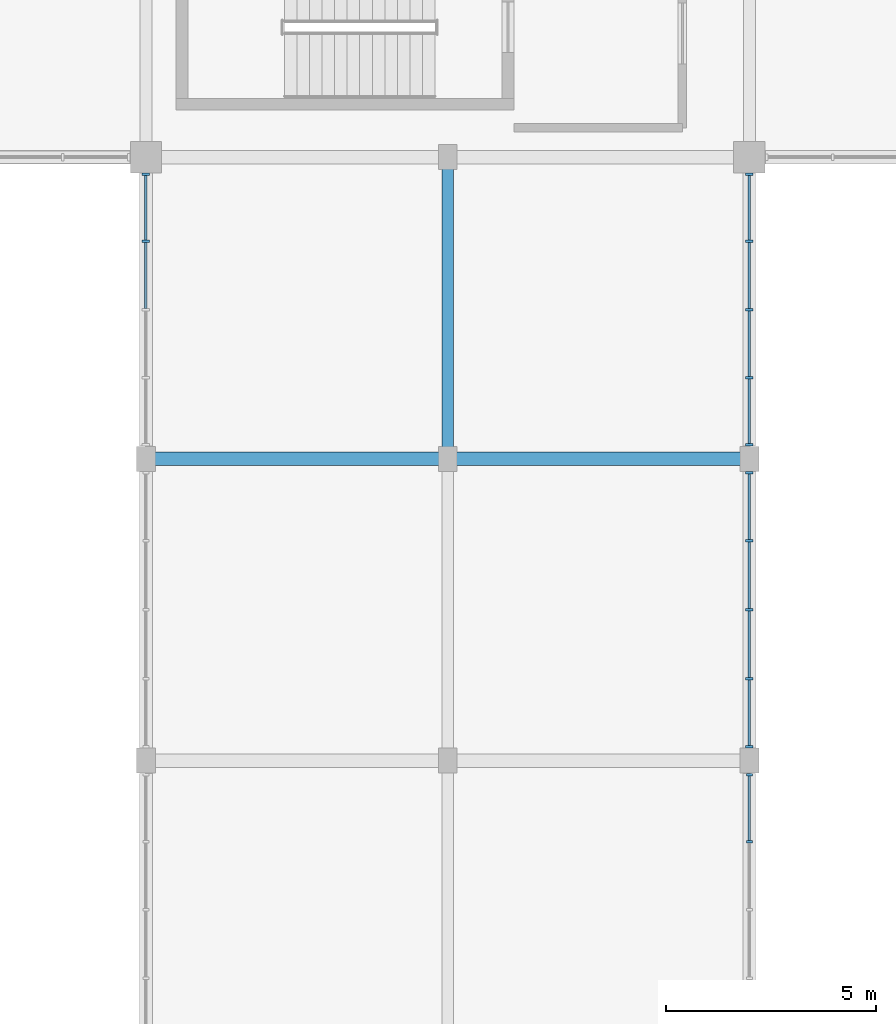
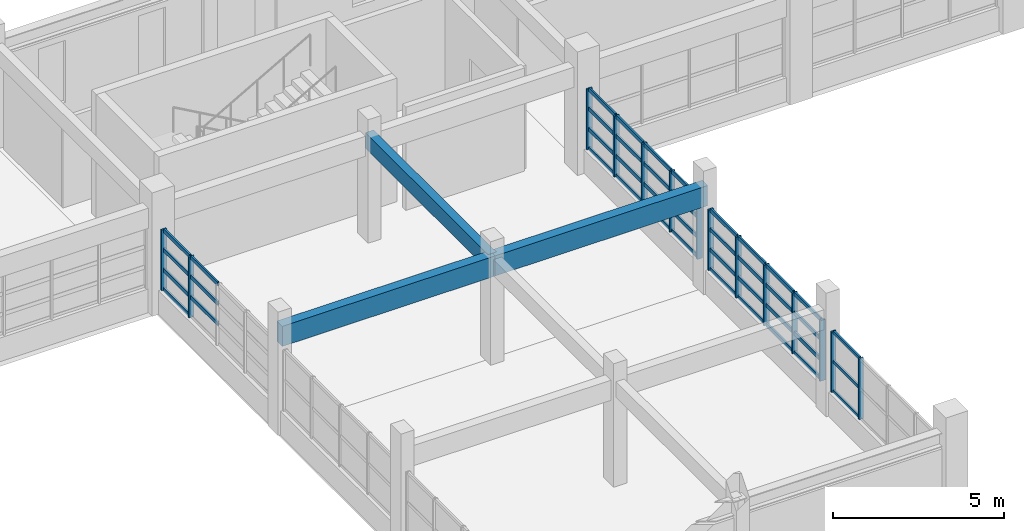
# One storey, part 20 of 69: 56 members, 3 beams, 4 elements without a shape of their own.
"""IFC4 building model written with IfcOpenShell, lengths in metres."""

import ifcopenshell
import ifcopenshell.guid

model = None  # the IFC model being written
_history = None  # IfcOwnerHistory: only IFC2X3 demands one
_inside = {}  # id of a spatial element -> (the spatial element, [elements in it])
_under = {}  # id of a project, library or spatial element -> (it, [spatial elements below it])
_declared = {}  # id of a project -> (the project, [libraries it declares])
_typed = {}  # id of a type object -> (the type object, [elements of that type])
_made_of = {}  # id of a material, layer set ... -> (it, [elements and type objects made of it])


def new_model(schema):
    """Start an empty IFC model of exactly this schema.

    Asked for "IFC4X3", IfcOpenShell would pick the latest addendum, in which some entities
    have other attributes; the version numbers below select the first issue.
    IFC2X3 requires an IfcOwnerHistory on every rooted entity: one is made here for all.
    """
    global model, _history
    if schema == "IFC4X3":
        model = ifcopenshell.file(schema_version=(4, 3, 0, 0))
    else:
        model = ifcopenshell.file(schema=schema)
    _inside.clear()
    _under.clear()
    _declared.clear()
    _typed.clear()
    _made_of.clear()
    _history = None
    if model.schema == "IFC2X3":
        org = make("IfcOrganization", Name="unknown")
        user = make(
            "IfcPersonAndOrganization",
            ThePerson=make("IfcPerson", FamilyName="unknown"),
            TheOrganization=org,
        )
        app = make(
            "IfcApplication",
            ApplicationDeveloper=org,
            Version="unknown",
            ApplicationFullName="unknown",
            ApplicationIdentifier="unknown",
        )
        _history = make(
            "IfcOwnerHistory",
            OwningUser=user,
            OwningApplication=app,
            ChangeAction="ADDED",
            CreationDate=0,
        )
    return model


def make(cls, **values):
    """One entity of the class cls with the attributes given. An attribute that is None is left unset."""
    return model.create_entity(
        cls, **{name: value for name, value in values.items() if value is not None}
    )


def rooted(cls, **values):
    """An entity with a GlobalId (a new one), such as an element, a storey or a relation."""
    return make(cls, GlobalId=ifcopenshell.guid.new(), OwnerHistory=_history, **values)


def si_unit(unit_type, name, prefix=None):
    """IfcSIUnit, for example si_unit("LENGTHUNIT", "METRE", prefix="MILLI")."""
    return make("IfcSIUnit", UnitType=unit_type, Prefix=prefix, Name=name)


def assignment(units):
    """IfcUnitAssignment: the units of a project."""
    return None if units is None else make("IfcUnitAssignment", Units=units)


def point(xyz):
    """IfcCartesianPoint."""
    return None if xyz is None else make("IfcCartesianPoint", Coordinates=xyz)


def direction(xyz):
    """IfcDirection."""
    return None if xyz is None else make("IfcDirection", DirectionRatios=xyz)


def frame(location, z_axis=None, x_axis=None):
    """IfcAxis2Placement3D, a coordinate frame: its origin and axes. An axis left out is left unset."""
    return make(
        "IfcAxis2Placement3D",
        Location=point(location),
        Axis=direction(z_axis),
        RefDirection=direction(x_axis),
    )


def frame_2d(location, x_axis=None):
    """IfcAxis2Placement2D, a coordinate frame in the plane: its origin and x axis."""
    return make(
        "IfcAxis2Placement2D", Location=point(location), RefDirection=direction(x_axis)
    )


def origin():
    """The frame at (0, 0, 0) with its axes left unset."""
    return frame((0.0, 0.0, 0.0))


def origin_2d():
    """The frame at (0, 0) in the plane with its x axis left unset."""
    return frame_2d((0.0, 0.0))


def place(relative_to, where):
    """IfcLocalPlacement: puts the frame where relative to a parent placement (None: the world)."""
    return make(
        "IfcLocalPlacement", PlacementRelTo=relative_to, RelativePlacement=where
    )


def context(
    kind, dimensions, precision=None, world=None, true_north=None, identifier=None
):
    """IfcGeometricRepresentationContext, for example the 3D "Model" context."""
    return make(
        "IfcGeometricRepresentationContext",
        ContextIdentifier=identifier,
        ContextType=kind,
        CoordinateSpaceDimension=dimensions,
        Precision=precision,
        WorldCoordinateSystem=world,
        TrueNorth=true_north,
    )


def subcontext(parent, identifier, kind, view, scale=None):
    """IfcGeometricRepresentationSubContext, for example "Body" below "Model"."""
    return make(
        "IfcGeometricRepresentationSubContext",
        ContextIdentifier=identifier,
        ContextType=kind,
        ParentContext=parent,
        TargetScale=scale,
        TargetView=view,
    )


def project(units=None, contexts=None):
    """IfcProject with its units and contexts."""
    return rooted(
        "IfcProject",
        Name="project",
        RepresentationContexts=contexts,
        UnitsInContext=assignment(units),
    )


def spatial(cls, under=None, at=None, **own):
    """A site, building, storey or space (cls), placed at a placement, below another one or the project."""
    s = rooted(cls, ObjectPlacement=at, **own)
    if under is not None:
        _under.setdefault(under.id(), (under, []))[1].append(s)
    return s


def profile(cls, at=None, kind="AREA", **sizes):
    """A parametric profile (cls). Its sizes go by their IFC names, for example OverallWidth=200.0."""
    return make(cls, ProfileType=kind, Position=at, **sizes)


def rectangle(**sizes):
    """IfcRectangleProfileDef."""
    return profile("IfcRectangleProfileDef", **sizes)


def extrude(swept, where, along, depth):
    """IfcExtrudedAreaSolid: the profile swept, set in the frame where, extruded along a direction by depth."""
    return make(
        "IfcExtrudedAreaSolid",
        SweptArea=swept,
        Position=where,
        ExtrudedDirection=direction(along),
        Depth=depth,
    )


def shape(context_of_items, identifier, shape_type, items):
    """IfcShapeRepresentation: the items that make up one representation, for example the "Body"."""
    return make(
        "IfcShapeRepresentation",
        ContextOfItems=context_of_items,
        RepresentationIdentifier=identifier,
        RepresentationType=shape_type,
        Items=items,
    )


def material(Name=None, Category=None):
    """IfcMaterial."""
    return make("IfcMaterial", Name=Name, Category=Category)


def material_profile(
    of_material, cross_section, Name=None, Category=None, Priority=None
):
    """IfcMaterialProfile: a cross section and its material."""
    return make(
        "IfcMaterialProfile",
        Name=Name,
        Material=of_material,
        Profile=cross_section,
        Priority=Priority,
        Category=Category,
    )


def profile_set(profiles, Name=None, composite=None):
    """IfcMaterialProfileSet."""
    return make(
        "IfcMaterialProfileSet",
        Name=Name,
        MaterialProfiles=profiles,
        CompositeProfile=composite,
    )


def made_of(thing, what):
    """Note that an element or type object is made of a material, layer set ...; save() writes the relation."""
    if what is not None:
        _made_of.setdefault(what.id(), (what, []))[1].append(thing)
    return thing


def type_object(cls, material=None, **own):
    """A type object (cls), such as IfcWallType, which elements share."""
    return made_of(rooted(cls, **own), material)


def element(
    cls,
    number,
    at=None,
    inside=None,
    cuts=None,
    type_object=None,
    material=None,
    context=None,
    identifier="Body",
    shape_type=None,
    held_by="IfcProductDefinitionShape",
    body=None,
    shapes=None,
    **own,
):
    """One element of the class cls, such as IfcWall. Its Tag is "e" and its number.

    at: its placement. inside: the storey or other place that contains it. cuts: it is an
    opening in that element (IfcRelVoidsElement). A single representation is given by context,
    identifier, shape_type and body (its items); several are given by shapes. held_by: the class
    of the entity that holds the representations. save() writes the other relations.
    """
    e = rooted(cls, Tag="e%d" % number, ObjectPlacement=at, **own)
    if body is not None:
        shapes = [shape(context, identifier, shape_type, body)]
    if shapes is not None:
        e.Representation = make(held_by, Representations=shapes)
    if inside is not None:
        _inside.setdefault(inside.id(), (inside, []))[1].append(e)
    if cuts is not None:
        rooted(
            "IfcRelVoidsElement", RelatingBuildingElement=cuts, RelatedOpeningElement=e
        )
    if type_object is not None:
        _typed.setdefault(type_object.id(), (type_object, []))[1].append(e)
    return made_of(e, material)


def aggregate(whole, parts):
    """IfcRelAggregates: a whole, such as a stair, and the parts it consists of."""
    return rooted("IfcRelAggregates", RelatingObject=whole, RelatedObjects=parts)


def save(model, path):
    """Write the relations noted so far, then the file.

    IfcRelAggregates (storeys below a building ...), IfcRelContainedInSpatialStructure (elements
    in a storey), IfcRelDefinesByType, IfcRelAssociatesMaterial and IfcRelDeclares: one each for
    every whole, place, type object, material and project.
    """
    for whole, parts in _under.values():
        aggregate(whole, parts)
    for where, things in _inside.values():
        rooted(
            "IfcRelContainedInSpatialStructure",
            RelatedElements=things,
            RelatingStructure=where,
        )
    for kind, things in _typed.values():
        rooted("IfcRelDefinesByType", RelatedObjects=things, RelatingType=kind)
    for what, things in _made_of.values():
        rooted("IfcRelAssociatesMaterial", RelatedObjects=things, RelatingMaterial=what)
    for by, libraries in _declared.values():
        rooted("IfcRelDeclares", RelatingContext=by, RelatedDefinitions=libraries)
    model.write(path)


model = new_model("IFC4")

# Units and contexts
model_context = context("Model", 3, precision=1e-05, world=origin(), true_north=direction((0.0, 1.0)))
body_context = subcontext(model_context, "Body", "Model", "MODEL_VIEW")
ifc_project = project(units=[si_unit("LENGTHUNIT", "METRE"), si_unit("AREAUNIT", "SQUARE_METRE"), si_unit("VOLUMEUNIT", "CUBIC_METRE"), si_unit("PLANEANGLEUNIT", "RADIAN"), si_unit("MASSUNIT", "GRAM", prefix="KILO")], contexts=[model_context])

# Site, building, storey
site_placement = place(None, origin())
site = spatial("IfcSite", under=ifc_project, at=site_placement, CompositionType="ELEMENT")
building_placement = place(site_placement, origin())
building = spatial("IfcBuilding", under=site, at=building_placement, Name="Nzembalo Square Collegiate School", CompositionType="ELEMENT")
storey_placement = place(building_placement, frame((0.0, 0.0, 5.10009765625)))
storey = spatial("IfcBuildingStorey", under=building, at=storey_placement, Name="L01", CompositionType="ELEMENT", Elevation=5.10009765625)

# Beams
ifc_material_1 = material(Name="Glulam GL32h", Category="wood")
ifc_material_profile_1 = material_profile(ifc_material_1, rectangle(XDim=0.320068359375, YDim=0.719970703125, at=origin_2d()), Name="GL32h 320x720")
ifc_profile_set_1 = profile_set([ifc_material_profile_1], Name="Glulam GL32h")
beam_type_1 = type_object("IfcBeamType", Name="B03", PredefinedType="BEAM", material=ifc_profile_set_1)
for number, where, z_axis, x_axis, name in (
    (1, (76.800048828125, 97.199951171875, 3.389892578125), (1.0, 0.0, 0.0), (0.0, 1.0, 0.0), "Beam B03 L01"),
    (2, (84.0, 97.199951171875, 3.389892578125), (1.0, 0.0, 0.0), (0.0, 1.0, 0.0), "Beam B03 L01"),
):
    element("IfcBeam", number, at=place(storey_placement, frame(where, z_axis=z_axis, x_axis=x_axis)), inside=storey, type_object=beam_type_1, Name=name, PredefinedType="BEAM", context=body_context, shape_type="SweptSolid", body=[
        extrude(rectangle(XDim=0.320068359375, YDim=0.719970703125, at=origin_2d()), origin(), (0.0, 0.0, 1.0), 7.199951171875),
    ])
ifc_material_2 = material(Name="Glulam GL28h", Category="wood")
ifc_material_profile_2 = material_profile(ifc_material_2, rectangle(XDim=0.280029296875, YDim=0.56005859375, at=origin_2d()), Name="GL28h 280x560")
ifc_profile_set_2 = profile_set([ifc_material_profile_2], Name="Glulam GL28h")
beam_type_2 = type_object("IfcBeamType", Name="B05", PredefinedType="BEAM", material=ifc_profile_set_2)
beam_placement = place(storey_placement, frame((84.0, 97.199951171875, 3.469970703125), z_axis=(0.0, 1.0, 0.0), x_axis=(-1.0, 0.0, 0.0)))
element("IfcBeam", 3, at=beam_placement, inside=storey, type_object=beam_type_2, Name="Beam B05 L01", PredefinedType="BEAM", context=body_context, shape_type="SweptSolid", body=[
    extrude(rectangle(XDim=0.280029296875, YDim=0.56005859375, at=origin_2d()), origin(), (0.0, 0.0, 1.0), 7.199951171875),
])

# Curtain wall, members
ifc_material_3 = material(Name="Aluminium 6060-T66", Category="aluminium")
curtain_wall_type_1 = type_object("IfcCurtainWallType", Name="CW-01", PredefinedType="USERDEFINED", material=ifc_material_3)
curtain_wall_1_placement = place(storey_placement, origin())
curtain_wall_1 = element("IfcCurtainWall", 4, at=curtain_wall_1_placement, inside=storey, type_object=curtain_wall_type_1, Name="Curtain wall CW-01 cw:L01:080", ObjectType="UNITISED", PredefinedType="USERDEFINED")
ifc_material_4 = material(Name="Aluminium 6060-T66", Category="aluminium")
ifc_material_profile_3 = material_profile(ifc_material_4, rectangle(XDim=0.06005859375, YDim=0.179931640625, at=origin_2d()), Name="ALU M60x180")
ifc_profile_set_3 = profile_set([ifc_material_profile_3], Name="Aluminium 6060-T66")
member_type_1 = type_object("IfcMemberType", Name="ML01", PredefinedType="MULLION", material=ifc_profile_set_3)
member_1_placement = place(storey_placement, frame((91.199951171875, 90.33203125, 0.849853515625), z_axis=(0.0, 0.0, 1.0), x_axis=(0.0, 1.0, 0.0)))
member_1 = element("IfcMember", 5, at=member_1_placement, type_object=member_type_1, Name="ML01 mullion 1", PredefinedType="MULLION", context=body_context, shape_type="SweptSolid", body=[
    extrude(rectangle(XDim=0.06005859375, YDim=0.179931640625, at=origin_2d()), origin(), (0.0, 0.0, 1.0), 2.174072265625),
])
member_2_placement = place(storey_placement, frame((91.199951171875, 91.950927734375, 0.849853515625), z_axis=(0.0, 0.0, 1.0), x_axis=(0.0, 1.0, 0.0)))
member_2 = element("IfcMember", 6, at=member_2_placement, type_object=member_type_1, Name="ML01 mullion 2", PredefinedType="MULLION", context=body_context, shape_type="SweptSolid", body=[
    extrude(rectangle(XDim=0.06005859375, YDim=0.179931640625, at=origin_2d()), origin(), (0.0, 0.0, 1.0), 2.174072265625),
])
member_3_placement = place(storey_placement, frame((91.199951171875, 93.60009765625, 0.849853515625), z_axis=(0.0, 0.0, 1.0), x_axis=(0.0, 1.0, 0.0)))
member_3 = element("IfcMember", 7, at=member_3_placement, type_object=member_type_1, Name="ML01 mullion 3", PredefinedType="MULLION", context=body_context, shape_type="SweptSolid", body=[
    extrude(rectangle(XDim=0.06005859375, YDim=0.179931640625, at=origin_2d()), origin(), (0.0, 0.0, 1.0), 2.174072265625),
])
member_4_placement = place(storey_placement, frame((91.199951171875, 95.2490234375, 0.849853515625), z_axis=(0.0, 0.0, 1.0), x_axis=(0.0, 1.0, 0.0)))
member_4 = element("IfcMember", 8, at=member_4_placement, type_object=member_type_1, Name="ML01 mullion 4", PredefinedType="MULLION", context=body_context, shape_type="SweptSolid", body=[
    extrude(rectangle(XDim=0.06005859375, YDim=0.179931640625, at=origin_2d()), origin(), (0.0, 0.0, 1.0), 2.174072265625),
])
member_5_placement = place(storey_placement, frame((91.199951171875, 96.867919921875, 0.849853515625), z_axis=(0.0, 0.0, 1.0), x_axis=(0.0, 1.0, 0.0)))
member_5 = element("IfcMember", 9, at=member_5_placement, type_object=member_type_1, Name="ML01 mullion 5", PredefinedType="MULLION", context=body_context, shape_type="SweptSolid", body=[
    extrude(rectangle(XDim=0.06005859375, YDim=0.179931640625, at=origin_2d()), origin(), (0.0, 0.0, 1.0), 2.174072265625),
])

ifc_material_5 = material(Name="Aluminium 6060-T66", Category="aluminium")
curtain_wall_type_2 = type_object("IfcCurtainWallType", Name="CW-02", PredefinedType="USERDEFINED", material=ifc_material_5)
curtain_wall_2_placement = place(storey_placement, origin())
curtain_wall_2 = element("IfcCurtainWall", 10, at=curtain_wall_2_placement, inside=storey, type_object=curtain_wall_type_2, Name="Curtain wall CW-02 cw:L01:081", ObjectType="UNITISED", PredefinedType="USERDEFINED")
member_6_placement = place(storey_placement, frame((91.199951171875, 97.531982421875, 0.849853515625), z_axis=(0.0, 0.0, 1.0), x_axis=(0.0, 1.0, 0.0)))
member_6 = element("IfcMember", 11, at=member_6_placement, type_object=member_type_1, Name="ML01 mullion 1", PredefinedType="MULLION", context=body_context, shape_type="SweptSolid", body=[
    extrude(rectangle(XDim=0.06005859375, YDim=0.179931640625, at=origin_2d()), origin(), (0.0, 0.0, 1.0), 2.174072265625),
])
member_7_placement = place(storey_placement, frame((91.199951171875, 99.13232421875, 0.849853515625), z_axis=(0.0, 0.0, 1.0), x_axis=(0.0, 1.0, 0.0)))
member_7 = element("IfcMember", 12, at=member_7_placement, type_object=member_type_1, Name="ML01 mullion 2", PredefinedType="MULLION", context=body_context, shape_type="SweptSolid", body=[
    extrude(rectangle(XDim=0.06005859375, YDim=0.179931640625, at=origin_2d()), origin(), (0.0, 0.0, 1.0), 2.174072265625),
])
member_8_placement = place(storey_placement, frame((91.199951171875, 100.762451171875, 0.849853515625), z_axis=(0.0, 0.0, 1.0), x_axis=(0.0, 1.0, 0.0)))
member_8 = element("IfcMember", 13, at=member_8_placement, type_object=member_type_1, Name="ML01 mullion 3", PredefinedType="MULLION", context=body_context, shape_type="SweptSolid", body=[
    extrude(rectangle(XDim=0.06005859375, YDim=0.179931640625, at=origin_2d()), origin(), (0.0, 0.0, 1.0), 2.174072265625),
])
member_9_placement = place(storey_placement, frame((91.199951171875, 102.392822265625, 0.849853515625), z_axis=(0.0, 0.0, 1.0), x_axis=(0.0, 1.0, 0.0)))
member_9 = element("IfcMember", 14, at=member_9_placement, type_object=member_type_1, Name="ML01 mullion 4", PredefinedType="MULLION", context=body_context, shape_type="SweptSolid", body=[
    extrude(rectangle(XDim=0.06005859375, YDim=0.179931640625, at=origin_2d()), origin(), (0.0, 0.0, 1.0), 2.174072265625),
])
member_10_placement = place(storey_placement, frame((91.199951171875, 103.992919921875, 0.849853515625), z_axis=(0.0, 0.0, 1.0), x_axis=(0.0, 1.0, 0.0)))
member_10 = element("IfcMember", 15, at=member_10_placement, type_object=member_type_1, Name="ML01 mullion 5", PredefinedType="MULLION", context=body_context, shape_type="SweptSolid", body=[
    extrude(rectangle(XDim=0.06005859375, YDim=0.179931640625, at=origin_2d()), origin(), (0.0, 0.0, 1.0), 2.174072265625),
])

ifc_material_6 = material(Name="Aluminium 6060-T66", Category="aluminium")
curtain_wall_type_3 = type_object("IfcCurtainWallType", Name="CW-05", PredefinedType="USERDEFINED", material=ifc_material_6)
curtain_wall_3_placement = place(storey_placement, origin())
curtain_wall_3 = element("IfcCurtainWall", 16, at=curtain_wall_3_placement, inside=storey, type_object=curtain_wall_type_3, Name="Curtain wall CW-05 cw:L01:084", ObjectType="LANCET", PredefinedType="USERDEFINED")
member_11_placement = place(storey_placement, frame((76.800048828125, 102.392822265625, 0.849853515625), z_axis=(0.0, 0.0, 1.0), x_axis=(0.0, 1.0, 0.0)))
member_11 = element("IfcMember", 17, at=member_11_placement, type_object=member_type_1, Name="ML01 mullion 4", PredefinedType="MULLION", context=body_context, shape_type="SweptSolid", body=[
    extrude(rectangle(XDim=0.06005859375, YDim=0.179931640625, at=origin_2d()), origin(), (0.0, 0.0, 1.0), 2.174072265625),
])
member_12_placement = place(storey_placement, frame((76.800048828125, 103.992919921875, 0.849853515625), z_axis=(0.0, 0.0, 1.0), x_axis=(0.0, 1.0, 0.0)))
member_12 = element("IfcMember", 18, at=member_12_placement, type_object=member_type_1, Name="ML01 mullion 5", PredefinedType="MULLION", context=body_context, shape_type="SweptSolid", body=[
    extrude(rectangle(XDim=0.06005859375, YDim=0.179931640625, at=origin_2d()), origin(), (0.0, 0.0, 1.0), 2.174072265625),
])

ifc_material_7 = material(Name="Aluminium 6060-T66", Category="aluminium")
curtain_wall_type_4 = type_object("IfcCurtainWallType", Name="CW-08", PredefinedType="USERDEFINED", material=ifc_material_7)
curtain_wall_4_placement = place(storey_placement, origin())
curtain_wall_4 = element("IfcCurtainWall", 19, at=curtain_wall_4_placement, inside=storey, type_object=curtain_wall_type_4, Name="Curtain wall CW-08 cw:L01:079", ObjectType="LANCET", PredefinedType="USERDEFINED")
ifc_material_8 = material(Name="Aluminium 6060-T66", Category="aluminium")
ifc_material_profile_4 = material_profile(ifc_material_8, rectangle(XDim=0.06005859375, YDim=0.14990234375, at=origin_2d()), Name="ALU M60x150")
ifc_profile_set_4 = profile_set([ifc_material_profile_4], Name="Aluminium 6060-T66")
member_type_2 = type_object("IfcMemberType", Name="ML02", PredefinedType="MULLION", material=ifc_profile_set_4)
member_13_placement = place(storey_placement, frame((91.199951171875, 88.06787109375, 0.849853515625), z_axis=(0.0, 0.0, 1.0), x_axis=(0.0, 1.0, 0.0)))
member_13 = element("IfcMember", 20, at=member_13_placement, type_object=member_type_2, Name="ML02 mullion 4", PredefinedType="MULLION", context=body_context, shape_type="SweptSolid", body=[
    extrude(rectangle(XDim=0.06005859375, YDim=0.14990234375, at=origin_2d()), origin(), (0.0, 0.0, 1.0), 2.174072265625),
])
member_14_placement = place(storey_placement, frame((91.199951171875, 89.66796875, 0.849853515625), z_axis=(0.0, 0.0, 1.0), x_axis=(0.0, 1.0, 0.0)))
member_14 = element("IfcMember", 21, at=member_14_placement, type_object=member_type_2, Name="ML02 mullion 5", PredefinedType="MULLION", context=body_context, shape_type="SweptSolid", body=[
    extrude(rectangle(XDim=0.06005859375, YDim=0.14990234375, at=origin_2d()), origin(), (0.0, 0.0, 1.0), 2.174072265625),
])

# Member
ifc_material_9 = material(Name="Aluminium 6060-T66", Category="aluminium")
ifc_material_profile_5 = material_profile(ifc_material_9, rectangle(XDim=0.06005859375, YDim=0.139892578125, at=origin_2d()), Name="ALU T60x140")
ifc_profile_set_5 = profile_set([ifc_material_profile_5], Name="Aluminium 6060-T66")
member_type_3 = type_object("IfcMemberType", Name="TR01", PredefinedType="USERDEFINED", material=ifc_profile_set_5)
member_15_placement = place(storey_placement, frame((91.199951171875, 90.362060546875, 0.8798828125), z_axis=(0.0, 1.0, 0.0), x_axis=(-1.0, 0.0, 0.0)))
member_15 = element("IfcMember", 22, at=member_15_placement, type_object=member_type_3, Name="TR01 transom 1-1", ObjectType="TRANSOM", PredefinedType="USERDEFINED", context=body_context, shape_type="SweptSolid", body=[
    extrude(rectangle(XDim=0.06005859375, YDim=0.139892578125, at=origin_2d()), origin(), (0.0, 0.0, 1.0), 1.558837890625),
])

member_16_placement = place(storey_placement, frame((91.199951171875, 91.98095703125, 0.8798828125), z_axis=(0.0, 1.0, 0.0), x_axis=(-1.0, 0.0, 0.0)))
member_16 = element("IfcMember", 23, at=member_16_placement, type_object=member_type_3, Name="TR01 transom 1-2", ObjectType="TRANSOM", PredefinedType="USERDEFINED", context=body_context, shape_type="SweptSolid", body=[
    extrude(rectangle(XDim=0.06005859375, YDim=0.139892578125, at=origin_2d()), origin(), (0.0, 0.0, 1.0), 1.589111328125),
])

member_17_placement = place(storey_placement, frame((91.199951171875, 93.6298828125, 0.8798828125), z_axis=(0.0, 1.0, 0.0), x_axis=(-1.0, 0.0, 0.0)))
member_17 = element("IfcMember", 24, at=member_17_placement, type_object=member_type_3, Name="TR01 transom 1-3", ObjectType="TRANSOM", PredefinedType="USERDEFINED", context=body_context, shape_type="SweptSolid", body=[
    extrude(rectangle(XDim=0.06005859375, YDim=0.139892578125, at=origin_2d()), origin(), (0.0, 0.0, 1.0), 1.589111328125),
])

member_18_placement = place(storey_placement, frame((91.199951171875, 95.279052734375, 0.8798828125), z_axis=(0.0, 1.0, 0.0), x_axis=(-1.0, 0.0, 0.0)))
member_18 = element("IfcMember", 25, at=member_18_placement, type_object=member_type_3, Name="TR01 transom 1-4", ObjectType="TRANSOM", PredefinedType="USERDEFINED", context=body_context, shape_type="SweptSolid", body=[
    extrude(rectangle(XDim=0.06005859375, YDim=0.139892578125, at=origin_2d()), origin(), (0.0, 0.0, 1.0), 1.558837890625),
])

member_19_placement = place(storey_placement, frame((91.199951171875, 90.362060546875, 1.574462890625), z_axis=(0.0, 1.0, 0.0), x_axis=(-1.0, 0.0, 0.0)))
member_19 = element("IfcMember", 26, at=member_19_placement, type_object=member_type_3, Name="TR01 transom 2-1", ObjectType="TRANSOM", PredefinedType="USERDEFINED", context=body_context, shape_type="SweptSolid", body=[
    extrude(rectangle(XDim=0.06005859375, YDim=0.139892578125, at=origin_2d()), origin(), (0.0, 0.0, 1.0), 1.558837890625),
])

member_20_placement = place(storey_placement, frame((91.199951171875, 91.98095703125, 1.574462890625), z_axis=(0.0, 1.0, 0.0), x_axis=(-1.0, 0.0, 0.0)))
member_20 = element("IfcMember", 27, at=member_20_placement, type_object=member_type_3, Name="TR01 transom 2-2", ObjectType="TRANSOM", PredefinedType="USERDEFINED", context=body_context, shape_type="SweptSolid", body=[
    extrude(rectangle(XDim=0.06005859375, YDim=0.139892578125, at=origin_2d()), origin(), (0.0, 0.0, 1.0), 1.589111328125),
])

member_21_placement = place(storey_placement, frame((91.199951171875, 93.6298828125, 1.574462890625), z_axis=(0.0, 1.0, 0.0), x_axis=(-1.0, 0.0, 0.0)))
member_21 = element("IfcMember", 28, at=member_21_placement, type_object=member_type_3, Name="TR01 transom 2-3", ObjectType="TRANSOM", PredefinedType="USERDEFINED", context=body_context, shape_type="SweptSolid", body=[
    extrude(rectangle(XDim=0.06005859375, YDim=0.139892578125, at=origin_2d()), origin(), (0.0, 0.0, 1.0), 1.589111328125),
])

member_22_placement = place(storey_placement, frame((91.199951171875, 95.279052734375, 1.574462890625), z_axis=(0.0, 1.0, 0.0), x_axis=(-1.0, 0.0, 0.0)))
member_22 = element("IfcMember", 29, at=member_22_placement, type_object=member_type_3, Name="TR01 transom 2-4", ObjectType="TRANSOM", PredefinedType="USERDEFINED", context=body_context, shape_type="SweptSolid", body=[
    extrude(rectangle(XDim=0.06005859375, YDim=0.139892578125, at=origin_2d()), origin(), (0.0, 0.0, 1.0), 1.558837890625),
])

member_23_placement = place(storey_placement, frame((91.199951171875, 90.362060546875, 2.29931640625), z_axis=(0.0, 1.0, 0.0), x_axis=(-1.0, 0.0, 0.0)))
member_23 = element("IfcMember", 30, at=member_23_placement, type_object=member_type_3, Name="TR01 transom 3-1", ObjectType="TRANSOM", PredefinedType="USERDEFINED", context=body_context, shape_type="SweptSolid", body=[
    extrude(rectangle(XDim=0.06005859375, YDim=0.139892578125, at=origin_2d()), origin(), (0.0, 0.0, 1.0), 1.558837890625),
])

member_24_placement = place(storey_placement, frame((91.199951171875, 91.98095703125, 2.29931640625), z_axis=(0.0, 1.0, 0.0), x_axis=(-1.0, 0.0, 0.0)))
member_24 = element("IfcMember", 31, at=member_24_placement, type_object=member_type_3, Name="TR01 transom 3-2", ObjectType="TRANSOM", PredefinedType="USERDEFINED", context=body_context, shape_type="SweptSolid", body=[
    extrude(rectangle(XDim=0.06005859375, YDim=0.139892578125, at=origin_2d()), origin(), (0.0, 0.0, 1.0), 1.589111328125),
])

member_25_placement = place(storey_placement, frame((91.199951171875, 93.6298828125, 2.29931640625), z_axis=(0.0, 1.0, 0.0), x_axis=(-1.0, 0.0, 0.0)))
member_25 = element("IfcMember", 32, at=member_25_placement, type_object=member_type_3, Name="TR01 transom 3-3", ObjectType="TRANSOM", PredefinedType="USERDEFINED", context=body_context, shape_type="SweptSolid", body=[
    extrude(rectangle(XDim=0.06005859375, YDim=0.139892578125, at=origin_2d()), origin(), (0.0, 0.0, 1.0), 1.589111328125),
])

member_26_placement = place(storey_placement, frame((91.199951171875, 95.279052734375, 2.29931640625), z_axis=(0.0, 1.0, 0.0), x_axis=(-1.0, 0.0, 0.0)))
member_26 = element("IfcMember", 33, at=member_26_placement, type_object=member_type_3, Name="TR01 transom 3-4", ObjectType="TRANSOM", PredefinedType="USERDEFINED", context=body_context, shape_type="SweptSolid", body=[
    extrude(rectangle(XDim=0.06005859375, YDim=0.139892578125, at=origin_2d()), origin(), (0.0, 0.0, 1.0), 1.558837890625),
])

member_27_placement = place(storey_placement, frame((91.199951171875, 90.362060546875, 2.993896484375), z_axis=(0.0, 1.0, 0.0), x_axis=(-1.0, 0.0, 0.0)))
member_27 = element("IfcMember", 34, at=member_27_placement, type_object=member_type_3, Name="TR01 transom 4-1", ObjectType="TRANSOM", PredefinedType="USERDEFINED", context=body_context, shape_type="SweptSolid", body=[
    extrude(rectangle(XDim=0.06005859375, YDim=0.139892578125, at=origin_2d()), origin(), (0.0, 0.0, 1.0), 1.558837890625),
])

member_28_placement = place(storey_placement, frame((91.199951171875, 91.98095703125, 2.993896484375), z_axis=(0.0, 1.0, 0.0), x_axis=(-1.0, 0.0, 0.0)))
member_28 = element("IfcMember", 35, at=member_28_placement, type_object=member_type_3, Name="TR01 transom 4-2", ObjectType="TRANSOM", PredefinedType="USERDEFINED", context=body_context, shape_type="SweptSolid", body=[
    extrude(rectangle(XDim=0.06005859375, YDim=0.139892578125, at=origin_2d()), origin(), (0.0, 0.0, 1.0), 1.589111328125),
])

member_29_placement = place(storey_placement, frame((91.199951171875, 93.6298828125, 2.993896484375), z_axis=(0.0, 1.0, 0.0), x_axis=(-1.0, 0.0, 0.0)))
member_29 = element("IfcMember", 36, at=member_29_placement, type_object=member_type_3, Name="TR01 transom 4-3", ObjectType="TRANSOM", PredefinedType="USERDEFINED", context=body_context, shape_type="SweptSolid", body=[
    extrude(rectangle(XDim=0.06005859375, YDim=0.139892578125, at=origin_2d()), origin(), (0.0, 0.0, 1.0), 1.589111328125),
])

member_30_placement = place(storey_placement, frame((91.199951171875, 95.279052734375, 2.993896484375), z_axis=(0.0, 1.0, 0.0), x_axis=(-1.0, 0.0, 0.0)))
member_30 = element("IfcMember", 37, at=member_30_placement, type_object=member_type_3, Name="TR01 transom 4-4", ObjectType="TRANSOM", PredefinedType="USERDEFINED", context=body_context, shape_type="SweptSolid", body=[
    extrude(rectangle(XDim=0.06005859375, YDim=0.139892578125, at=origin_2d()), origin(), (0.0, 0.0, 1.0), 1.558837890625),
])

aggregate(curtain_wall_1, [member_1, member_2, member_3, member_4, member_5, member_15, member_16, member_17, member_18, member_19, member_20, member_21, member_22, member_23, member_24, member_25, member_26, member_27, member_28, member_29, member_30])

member_31_placement = place(storey_placement, frame((91.199951171875, 97.56201171875, 0.8798828125), z_axis=(0.0, 1.0, 0.0), x_axis=(-1.0, 0.0, 0.0)))
member_31 = element("IfcMember", 38, at=member_31_placement, type_object=member_type_3, Name="TR01 transom 1-1", ObjectType="TRANSOM", PredefinedType="USERDEFINED", context=body_context, shape_type="SweptSolid", body=[
    extrude(rectangle(XDim=0.06005859375, YDim=0.139892578125, at=origin_2d()), origin(), (0.0, 0.0, 1.0), 1.540283203125),
])

member_32_placement = place(storey_placement, frame((91.199951171875, 99.162353515625, 0.8798828125), z_axis=(0.0, 1.0, 0.0), x_axis=(-1.0, 0.0, 0.0)))
member_32 = element("IfcMember", 39, at=member_32_placement, type_object=member_type_3, Name="TR01 transom 1-2", ObjectType="TRANSOM", PredefinedType="USERDEFINED", context=body_context, shape_type="SweptSolid", body=[
    extrude(rectangle(XDim=0.06005859375, YDim=0.139892578125, at=origin_2d()), origin(), (0.0, 0.0, 1.0), 1.570068359375),
])

member_33_placement = place(storey_placement, frame((91.199951171875, 100.79248046875, 0.8798828125), z_axis=(0.0, 1.0, 0.0), x_axis=(-1.0, 0.0, 0.0)))
member_33 = element("IfcMember", 40, at=member_33_placement, type_object=member_type_3, Name="TR01 transom 1-3", ObjectType="TRANSOM", PredefinedType="USERDEFINED", context=body_context, shape_type="SweptSolid", body=[
    extrude(rectangle(XDim=0.06005859375, YDim=0.139892578125, at=origin_2d()), origin(), (0.0, 0.0, 1.0), 1.5703125),
])

member_34_placement = place(storey_placement, frame((91.199951171875, 102.4228515625, 0.8798828125), z_axis=(0.0, 1.0, 0.0), x_axis=(-1.0, 0.0, 0.0)))
member_34 = element("IfcMember", 41, at=member_34_placement, type_object=member_type_3, Name="TR01 transom 1-4", ObjectType="TRANSOM", PredefinedType="USERDEFINED", context=body_context, shape_type="SweptSolid", body=[
    extrude(rectangle(XDim=0.06005859375, YDim=0.139892578125, at=origin_2d()), origin(), (0.0, 0.0, 1.0), 1.5400390625),
])

member_35_placement = place(storey_placement, frame((91.199951171875, 97.56201171875, 1.574462890625), z_axis=(0.0, 1.0, 0.0), x_axis=(-1.0, 0.0, 0.0)))
member_35 = element("IfcMember", 42, at=member_35_placement, type_object=member_type_3, Name="TR01 transom 2-1", ObjectType="TRANSOM", PredefinedType="USERDEFINED", context=body_context, shape_type="SweptSolid", body=[
    extrude(rectangle(XDim=0.06005859375, YDim=0.139892578125, at=origin_2d()), origin(), (0.0, 0.0, 1.0), 1.540283203125),
])

member_36_placement = place(storey_placement, frame((91.199951171875, 99.162353515625, 1.574462890625), z_axis=(0.0, 1.0, 0.0), x_axis=(-1.0, 0.0, 0.0)))
member_36 = element("IfcMember", 43, at=member_36_placement, type_object=member_type_3, Name="TR01 transom 2-2", ObjectType="TRANSOM", PredefinedType="USERDEFINED", context=body_context, shape_type="SweptSolid", body=[
    extrude(rectangle(XDim=0.06005859375, YDim=0.139892578125, at=origin_2d()), origin(), (0.0, 0.0, 1.0), 1.570068359375),
])

member_37_placement = place(storey_placement, frame((91.199951171875, 100.79248046875, 1.574462890625), z_axis=(0.0, 1.0, 0.0), x_axis=(-1.0, 0.0, 0.0)))
member_37 = element("IfcMember", 44, at=member_37_placement, type_object=member_type_3, Name="TR01 transom 2-3", ObjectType="TRANSOM", PredefinedType="USERDEFINED", context=body_context, shape_type="SweptSolid", body=[
    extrude(rectangle(XDim=0.06005859375, YDim=0.139892578125, at=origin_2d()), origin(), (0.0, 0.0, 1.0), 1.5703125),
])

member_38_placement = place(storey_placement, frame((91.199951171875, 102.4228515625, 1.574462890625), z_axis=(0.0, 1.0, 0.0), x_axis=(-1.0, 0.0, 0.0)))
member_38 = element("IfcMember", 45, at=member_38_placement, type_object=member_type_3, Name="TR01 transom 2-4", ObjectType="TRANSOM", PredefinedType="USERDEFINED", context=body_context, shape_type="SweptSolid", body=[
    extrude(rectangle(XDim=0.06005859375, YDim=0.139892578125, at=origin_2d()), origin(), (0.0, 0.0, 1.0), 1.5400390625),
])

member_39_placement = place(storey_placement, frame((91.199951171875, 97.56201171875, 2.29931640625), z_axis=(0.0, 1.0, 0.0), x_axis=(-1.0, 0.0, 0.0)))
member_39 = element("IfcMember", 46, at=member_39_placement, type_object=member_type_3, Name="TR01 transom 3-1", ObjectType="TRANSOM", PredefinedType="USERDEFINED", context=body_context, shape_type="SweptSolid", body=[
    extrude(rectangle(XDim=0.06005859375, YDim=0.139892578125, at=origin_2d()), origin(), (0.0, 0.0, 1.0), 1.540283203125),
])

member_40_placement = place(storey_placement, frame((91.199951171875, 99.162353515625, 2.29931640625), z_axis=(0.0, 1.0, 0.0), x_axis=(-1.0, 0.0, 0.0)))
member_40 = element("IfcMember", 47, at=member_40_placement, type_object=member_type_3, Name="TR01 transom 3-2", ObjectType="TRANSOM", PredefinedType="USERDEFINED", context=body_context, shape_type="SweptSolid", body=[
    extrude(rectangle(XDim=0.06005859375, YDim=0.139892578125, at=origin_2d()), origin(), (0.0, 0.0, 1.0), 1.570068359375),
])

member_41_placement = place(storey_placement, frame((91.199951171875, 100.79248046875, 2.29931640625), z_axis=(0.0, 1.0, 0.0), x_axis=(-1.0, 0.0, 0.0)))
member_41 = element("IfcMember", 48, at=member_41_placement, type_object=member_type_3, Name="TR01 transom 3-3", ObjectType="TRANSOM", PredefinedType="USERDEFINED", context=body_context, shape_type="SweptSolid", body=[
    extrude(rectangle(XDim=0.06005859375, YDim=0.139892578125, at=origin_2d()), origin(), (0.0, 0.0, 1.0), 1.5703125),
])

member_42_placement = place(storey_placement, frame((91.199951171875, 102.4228515625, 2.29931640625), z_axis=(0.0, 1.0, 0.0), x_axis=(-1.0, 0.0, 0.0)))
member_42 = element("IfcMember", 49, at=member_42_placement, type_object=member_type_3, Name="TR01 transom 3-4", ObjectType="TRANSOM", PredefinedType="USERDEFINED", context=body_context, shape_type="SweptSolid", body=[
    extrude(rectangle(XDim=0.06005859375, YDim=0.139892578125, at=origin_2d()), origin(), (0.0, 0.0, 1.0), 1.5400390625),
])

member_43_placement = place(storey_placement, frame((91.199951171875, 97.56201171875, 2.993896484375), z_axis=(0.0, 1.0, 0.0), x_axis=(-1.0, 0.0, 0.0)))
member_43 = element("IfcMember", 50, at=member_43_placement, type_object=member_type_3, Name="TR01 transom 4-1", ObjectType="TRANSOM", PredefinedType="USERDEFINED", context=body_context, shape_type="SweptSolid", body=[
    extrude(rectangle(XDim=0.06005859375, YDim=0.139892578125, at=origin_2d()), origin(), (0.0, 0.0, 1.0), 1.540283203125),
])

member_44_placement = place(storey_placement, frame((91.199951171875, 99.162353515625, 2.993896484375), z_axis=(0.0, 1.0, 0.0), x_axis=(-1.0, 0.0, 0.0)))
member_44 = element("IfcMember", 51, at=member_44_placement, type_object=member_type_3, Name="TR01 transom 4-2", ObjectType="TRANSOM", PredefinedType="USERDEFINED", context=body_context, shape_type="SweptSolid", body=[
    extrude(rectangle(XDim=0.06005859375, YDim=0.139892578125, at=origin_2d()), origin(), (0.0, 0.0, 1.0), 1.570068359375),
])

member_45_placement = place(storey_placement, frame((91.199951171875, 100.79248046875, 2.993896484375), z_axis=(0.0, 1.0, 0.0), x_axis=(-1.0, 0.0, 0.0)))
member_45 = element("IfcMember", 52, at=member_45_placement, type_object=member_type_3, Name="TR01 transom 4-3", ObjectType="TRANSOM", PredefinedType="USERDEFINED", context=body_context, shape_type="SweptSolid", body=[
    extrude(rectangle(XDim=0.06005859375, YDim=0.139892578125, at=origin_2d()), origin(), (0.0, 0.0, 1.0), 1.5703125),
])

member_46_placement = place(storey_placement, frame((91.199951171875, 102.4228515625, 2.993896484375), z_axis=(0.0, 1.0, 0.0), x_axis=(-1.0, 0.0, 0.0)))
member_46 = element("IfcMember", 53, at=member_46_placement, type_object=member_type_3, Name="TR01 transom 4-4", ObjectType="TRANSOM", PredefinedType="USERDEFINED", context=body_context, shape_type="SweptSolid", body=[
    extrude(rectangle(XDim=0.06005859375, YDim=0.139892578125, at=origin_2d()), origin(), (0.0, 0.0, 1.0), 1.5400390625),
])

aggregate(curtain_wall_2, [member_6, member_7, member_8, member_9, member_10, member_31, member_32, member_33, member_34, member_35, member_36, member_37, member_38, member_39, member_40, member_41, member_42, member_43, member_44, member_45, member_46])

member_47_placement = place(storey_placement, frame((76.800048828125, 102.4228515625, 0.8798828125), z_axis=(0.0, 1.0, 0.0), x_axis=(-1.0, 0.0, 0.0)))
member_47 = element("IfcMember", 54, at=member_47_placement, type_object=member_type_3, Name="TR01 transom 1-4", ObjectType="TRANSOM", PredefinedType="USERDEFINED", context=body_context, shape_type="SweptSolid", body=[
    extrude(rectangle(XDim=0.06005859375, YDim=0.139892578125, at=origin_2d()), origin(), (0.0, 0.0, 1.0), 1.5400390625),
])

member_48_placement = place(storey_placement, frame((76.800048828125, 100.79248046875, 1.574462890625), z_axis=(0.0, 1.0, 0.0), x_axis=(-1.0, 0.0, 0.0)))
member_48 = element("IfcMember", 55, at=member_48_placement, type_object=member_type_3, Name="TR01 transom 2-3", ObjectType="TRANSOM", PredefinedType="USERDEFINED", context=body_context, shape_type="SweptSolid", body=[
    extrude(rectangle(XDim=0.06005859375, YDim=0.139892578125, at=origin_2d()), origin(), (0.0, 0.0, 1.0), 1.5703125),
])

member_49_placement = place(storey_placement, frame((76.800048828125, 102.4228515625, 1.574462890625), z_axis=(0.0, 1.0, 0.0), x_axis=(-1.0, 0.0, 0.0)))
member_49 = element("IfcMember", 56, at=member_49_placement, type_object=member_type_3, Name="TR01 transom 2-4", ObjectType="TRANSOM", PredefinedType="USERDEFINED", context=body_context, shape_type="SweptSolid", body=[
    extrude(rectangle(XDim=0.06005859375, YDim=0.139892578125, at=origin_2d()), origin(), (0.0, 0.0, 1.0), 1.5400390625),
])

member_50_placement = place(storey_placement, frame((76.800048828125, 100.79248046875, 2.29931640625), z_axis=(0.0, 1.0, 0.0), x_axis=(-1.0, 0.0, 0.0)))
member_50 = element("IfcMember", 57, at=member_50_placement, type_object=member_type_3, Name="TR01 transom 3-3", ObjectType="TRANSOM", PredefinedType="USERDEFINED", context=body_context, shape_type="SweptSolid", body=[
    extrude(rectangle(XDim=0.06005859375, YDim=0.139892578125, at=origin_2d()), origin(), (0.0, 0.0, 1.0), 1.5703125),
])

member_51_placement = place(storey_placement, frame((76.800048828125, 102.4228515625, 2.29931640625), z_axis=(0.0, 1.0, 0.0), x_axis=(-1.0, 0.0, 0.0)))
member_51 = element("IfcMember", 58, at=member_51_placement, type_object=member_type_3, Name="TR01 transom 3-4", ObjectType="TRANSOM", PredefinedType="USERDEFINED", context=body_context, shape_type="SweptSolid", body=[
    extrude(rectangle(XDim=0.06005859375, YDim=0.139892578125, at=origin_2d()), origin(), (0.0, 0.0, 1.0), 1.5400390625),
])

member_52_placement = place(storey_placement, frame((76.800048828125, 100.79248046875, 2.993896484375), z_axis=(0.0, 1.0, 0.0), x_axis=(-1.0, 0.0, 0.0)))
member_52 = element("IfcMember", 59, at=member_52_placement, type_object=member_type_3, Name="TR01 transom 4-3", ObjectType="TRANSOM", PredefinedType="USERDEFINED", context=body_context, shape_type="SweptSolid", body=[
    extrude(rectangle(XDim=0.06005859375, YDim=0.139892578125, at=origin_2d()), origin(), (0.0, 0.0, 1.0), 1.5703125),
])

member_53_placement = place(storey_placement, frame((76.800048828125, 102.4228515625, 2.993896484375), z_axis=(0.0, 1.0, 0.0), x_axis=(-1.0, 0.0, 0.0)))
member_53 = element("IfcMember", 60, at=member_53_placement, type_object=member_type_3, Name="TR01 transom 4-4", ObjectType="TRANSOM", PredefinedType="USERDEFINED", context=body_context, shape_type="SweptSolid", body=[
    extrude(rectangle(XDim=0.06005859375, YDim=0.139892578125, at=origin_2d()), origin(), (0.0, 0.0, 1.0), 1.5400390625),
])

aggregate(curtain_wall_3, [member_11, member_12, member_47, member_48, member_49, member_50, member_51, member_52, member_53])

ifc_material_10 = material(Name="Aluminium 6060-T66", Category="aluminium")
ifc_material_profile_6 = material_profile(ifc_material_10, rectangle(XDim=0.06005859375, YDim=0.110107421875, at=origin_2d()), Name="ALU T60x110")
ifc_profile_set_6 = profile_set([ifc_material_profile_6], Name="Aluminium 6060-T66")
member_type_4 = type_object("IfcMemberType", Name="TR02", PredefinedType="USERDEFINED", material=ifc_profile_set_6)
member_54_placement = place(storey_placement, frame((91.199951171875, 88.09765625, 0.8798828125), z_axis=(0.0, 1.0, 0.0), x_axis=(-1.0, 0.0, 0.0)))
member_54 = element("IfcMember", 61, at=member_54_placement, type_object=member_type_4, Name="TR02 transom 1-4", ObjectType="TRANSOM", PredefinedType="USERDEFINED", context=body_context, shape_type="SweptSolid", body=[
    extrude(rectangle(XDim=0.06005859375, YDim=0.110107421875, at=origin_2d()), origin(), (0.0, 0.0, 1.0), 1.540283203125),
])

member_55_placement = place(storey_placement, frame((91.199951171875, 88.09765625, 1.93701171875), z_axis=(0.0, 1.0, 0.0), x_axis=(-1.0, 0.0, 0.0)))
member_55 = element("IfcMember", 62, at=member_55_placement, type_object=member_type_4, Name="TR02 transom 2-4", ObjectType="TRANSOM", PredefinedType="USERDEFINED", context=body_context, shape_type="SweptSolid", body=[
    extrude(rectangle(XDim=0.06005859375, YDim=0.110107421875, at=origin_2d()), origin(), (0.0, 0.0, 1.0), 1.540283203125),
])

member_56_placement = place(storey_placement, frame((91.199951171875, 88.09765625, 2.993896484375), z_axis=(0.0, 1.0, 0.0), x_axis=(-1.0, 0.0, 0.0)))
member_56 = element("IfcMember", 63, at=member_56_placement, type_object=member_type_4, Name="TR02 transom 3-4", ObjectType="TRANSOM", PredefinedType="USERDEFINED", context=body_context, shape_type="SweptSolid", body=[
    extrude(rectangle(XDim=0.06005859375, YDim=0.110107421875, at=origin_2d()), origin(), (0.0, 0.0, 1.0), 1.540283203125),
])

aggregate(curtain_wall_4, [member_13, member_14, member_54, member_55, member_56])

save(model, "model.ifc")
